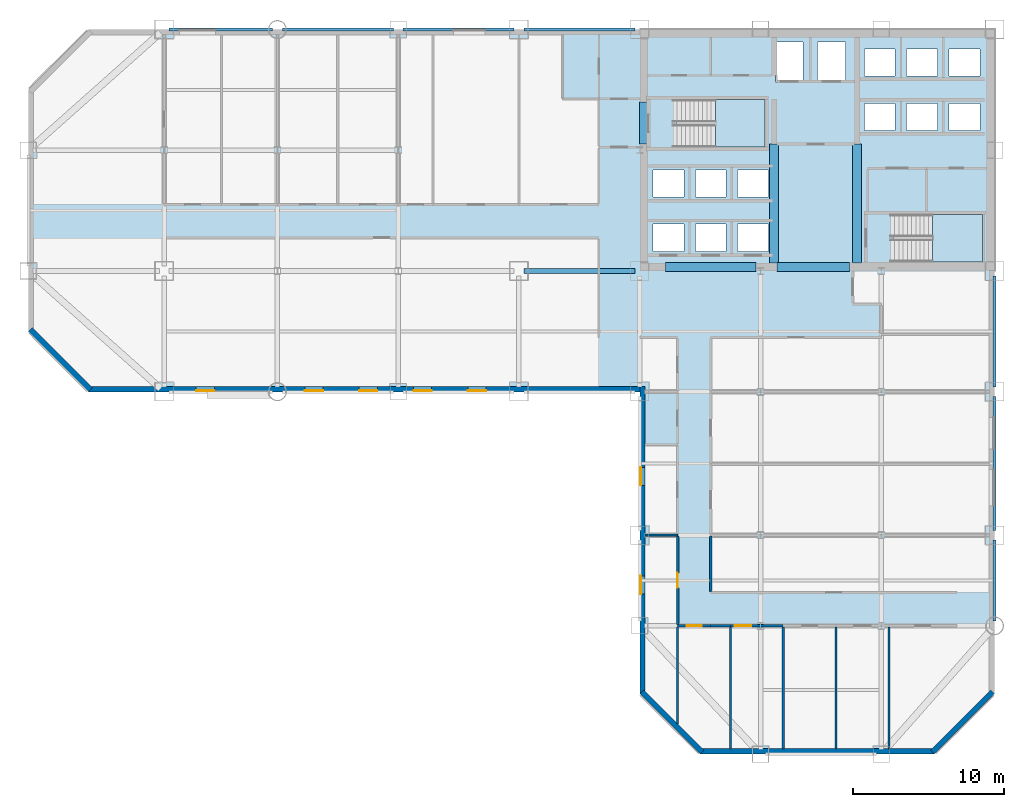
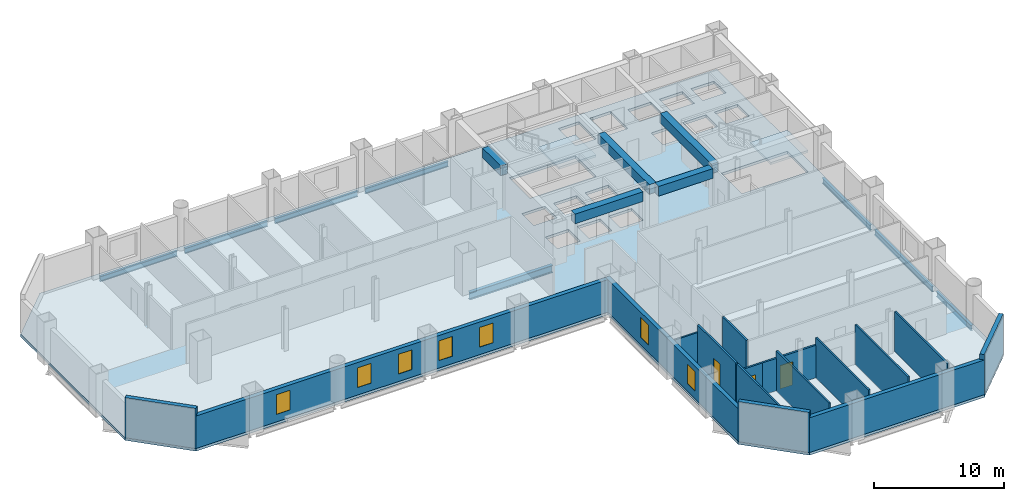
# One storey, part 4 of 9: 17 walls, 13 beams, 7 windows, 3 doors, 3 slabs, 10 openings, 2 elements without a shape of their own.
"""IFC4 building model written with IfcOpenShell, lengths in metres."""

from ifc_helpers import new_model, si_unit, direction, frame, frame_2d, origin, origin_2d, place, context, subcontext, project, spatial, polyline, rectangle, i_section, outline, extrude, material, layer, layer_set, material_profile, profile_set, type_object, element, fill, aggregate, save


model = new_model("IFC4")

# Units and contexts
model_context = context("Model", 3, precision=1e-05, world=origin(), true_north=direction((0.0, 1.0)))
body_context = subcontext(model_context, "Body", "Model", "MODEL_VIEW")
ifc_project = project(units=[si_unit("LENGTHUNIT", "METRE"), si_unit("AREAUNIT", "SQUARE_METRE"), si_unit("VOLUMEUNIT", "CUBIC_METRE"), si_unit("PLANEANGLEUNIT", "RADIAN"), si_unit("MASSUNIT", "GRAM", prefix="KILO")], contexts=[model_context])

# Site, building, storey
site_placement = place(None, origin())
site = spatial("IfcSite", under=ifc_project, at=site_placement, CompositionType="ELEMENT")
building_placement = place(site_placement, origin())
building = spatial("IfcBuilding", under=site, at=building_placement, Name="Qianrong Seaharbour Tower", CompositionType="ELEMENT")
storey_placement = place(building_placement, frame((0.0, 0.0, 36.199951171875)))
storey = spatial("IfcBuildingStorey", under=building, at=storey_placement, Name="L08", CompositionType="ELEMENT", Elevation=36.199951171875)

# Beams
ifc_material_1 = material(Name="Structural steel SN490B", Category="steel")
ifc_material_profile_1 = material_profile(ifc_material_1, i_section(OverallWidth=0.300048828125, OverallDepth=0.699951171875, WebThickness=0.012939453125, FlangeThickness=0.02392578125, FilletRadius=0.02587890625, at=origin_2d()), Name="H700x300x13x24")
ifc_profile_set_1 = profile_set([ifc_material_profile_1], Name="Structural steel SN490B")
beam_type_1 = type_object("IfcBeamType", Name="BM-G-700", PredefinedType="BEAM", material=ifc_profile_set_1)
beam_1_placement = place(storey_placement, frame((32.820068359375, 36.0, -0.599853515625), z_axis=(1.0, 0.0, 0.0), x_axis=(0.0, 1.0, 0.0)))
element("IfcBeam", 1, at=beam_1_placement, inside=storey, type_object=beam_type_1, Name="L08 Primary Girder GF G5-G6", PredefinedType="BEAM", context=body_context, shape_type="SweptSolid", body=[
    extrude(i_section(OverallWidth=0.300048828125, OverallDepth=0.699951171875, WebThickness=0.012939453125, FlangeThickness=0.02392578125, FilletRadius=0.02587890625, at=origin_2d()), origin(), (0.0, 0.0, 1.0), 7.35986328125),
])
ifc_material_2 = material(Name="Concrete C70/85", Category="concrete")
ifc_material_profile_2 = material_profile(ifc_material_2, rectangle(XDim=0.60009765625, YDim=0.89990234375, at=origin_2d()), Name="RC600x900")
ifc_profile_set_2 = profile_set([ifc_material_profile_2], Name="Concrete C70/85")
beam_type_2 = type_object("IfcBeamType", Name="BM-LINTEL-900", PredefinedType="LINTEL", material=ifc_profile_set_2)
beam_2_placement = place(storey_placement, frame((40.77001953125, 44.39990234375, 3.300048828125), z_axis=(0.0, 1.0, 0.0), x_axis=(-1.0, 0.0, 0.0)))
element("IfcBeam", 2, at=beam_2_placement, inside=storey, type_object=beam_type_2, Name="L08 Core Coupling Lintel Beam West", PredefinedType="LINTEL", context=body_context, shape_type="SweptSolid", body=[
    extrude(rectangle(XDim=0.60009765625, YDim=0.89990234375, at=origin_2d()), origin(), (0.0, 0.0, 1.0), 2.800048828125),
])
beam_3_placement = place(storey_placement, frame((42.199951171875, 36.27001953125, 3.300048828125), z_axis=(1.0, 0.0, 0.0), x_axis=(0.0, 1.0, 0.0)))
element("IfcBeam", 3, at=beam_3_placement, inside=storey, type_object=beam_type_2, Name="L08 Core Coupling Lintel Beam CBW", PredefinedType="LINTEL", context=body_context, shape_type="SweptSolid", body=[
    extrude(rectangle(XDim=0.60009765625, YDim=0.89990234375, at=origin_2d()), origin(), (0.0, 0.0, 1.0), 6.0),
])
beam_4_placement = place(storey_placement, frame((49.60009765625, 36.27001953125, 3.300048828125), z_axis=(1.0, 0.0, 0.0), x_axis=(0.0, 1.0, 0.0)))
element("IfcBeam", 4, at=beam_4_placement, inside=storey, type_object=beam_type_2, Name="L08 Core Coupling Lintel Beam CBC", PredefinedType="LINTEL", context=body_context, shape_type="SweptSolid", body=[
    extrude(rectangle(XDim=0.60009765625, YDim=0.89990234375, at=origin_2d()), origin(), (0.0, 0.0, 1.0), 4.7998046875),
])
for number, where, z_axis, x_axis, name in (
    (5, (49.39990234375, 36.5400390625, 3.300048828125), (0.0, 1.0, 0.0), (-1.0, 0.0, 0.0), "L08 Internal Core Coupling Beam IW1"),
    (6, (54.89990234375, 36.5400390625, 3.300048828125), (0.0, 1.0, 0.0), (-1.0, 0.0, 0.0), "L08 Internal Core Coupling Beam IW2"),
):
    element("IfcBeam", number, at=place(storey_placement, frame(where, z_axis=z_axis, x_axis=x_axis)), inside=storey, type_object=beam_type_2, Name=name, PredefinedType="LINTEL", context=body_context, shape_type="SweptSolid", body=[
        extrude(rectangle(XDim=0.60009765625, YDim=0.89990234375, at=origin_2d()), origin(), (0.0, 0.0, 1.0), 7.85986328125),
    ])
ifc_material_profile_3 = material_profile(ifc_material_1, i_section(OverallWidth=0.199951171875, OverallDepth=0.5, WebThickness=0.010009765625, FlangeThickness=0.01611328125, FilletRadius=0.02001953125, at=origin_2d()), Name="H500x200x10x16")
ifc_profile_set_3 = profile_set([ifc_material_profile_3], Name="Structural steel SN490B")
beam_type_3 = type_object("IfcBeamType", Name="BM-SP-500", PredefinedType="SPANDREL", material=ifc_profile_set_3)
beam_5_placement = place(storey_placement, frame((9.320068359375, 52.0, -0.5), z_axis=(1.0, 0.0, 0.0), x_axis=(0.0, 1.0, 0.0)))
element("IfcBeam", 7, at=beam_5_placement, inside=storey, type_object=beam_type_3, Name="L08 Spandrel Girder GH G2-G3", PredefinedType="SPANDREL", context=body_context, shape_type="SweptSolid", body=[
    extrude(i_section(OverallWidth=0.199951171875, OverallDepth=0.5, WebThickness=0.010009765625, FlangeThickness=0.01611328125, FilletRadius=0.02001953125, at=origin_2d()), origin(), (0.0, 0.0, 1.0), 6.85986328125),
])
for number, where, z_axis, x_axis, name in (
    (8, (16.820068359375, 52.0, -0.5), (1.0, 0.0, 0.0), (0.0, 1.0, 0.0), "L08 Spandrel Girder GH G3-G4"),
    (9, (24.820068359375, 52.0, -0.5), (1.0, 0.0, 0.0), (0.0, 1.0, 0.0), "L08 Spandrel Girder GH G4-G5"),
    (10, (32.820068359375, 52.0, -0.5), (1.0, 0.0, 0.0), (0.0, 1.0, 0.0), "L08 Spandrel Girder GH G5-G6"),
):
    element("IfcBeam", number, at=place(storey_placement, frame(where, z_axis=z_axis, x_axis=x_axis)), inside=storey, type_object=beam_type_3, Name=name, PredefinedType="SPANDREL", context=body_context, shape_type="SweptSolid", body=[
        extrude(i_section(OverallWidth=0.199951171875, OverallDepth=0.5, WebThickness=0.010009765625, FlangeThickness=0.01611328125, FilletRadius=0.02001953125, at=origin_2d()), origin(), (0.0, 0.0, 1.0), 7.35986328125),
    ])
beam_6_placement = place(storey_placement, frame((64.0, 12.820068359375, -0.5), z_axis=(0.0, 1.0, 0.0), x_axis=(-1.0, 0.0, 0.0)))
element("IfcBeam", 11, at=beam_6_placement, inside=storey, type_object=beam_type_3, Name="L08 Spandrel Girder G9 GC-GD", PredefinedType="SPANDREL", context=body_context, shape_type="SweptSolid", body=[
    extrude(i_section(OverallWidth=0.199951171875, OverallDepth=0.5, WebThickness=0.010009765625, FlangeThickness=0.01611328125, FilletRadius=0.02001953125, at=origin_2d()), origin(), (0.0, 0.0, 1.0), 5.35986328125),
])
beam_7_placement = place(storey_placement, frame((64.0, 18.820068359375, -0.5), z_axis=(0.0, 1.0, 0.0), x_axis=(-1.0, 0.0, 0.0)))
element("IfcBeam", 12, at=beam_7_placement, inside=storey, type_object=beam_type_3, Name="L08 Spandrel Girder G9 GD-GE", PredefinedType="SPANDREL", context=body_context, shape_type="SweptSolid", body=[
    extrude(i_section(OverallWidth=0.199951171875, OverallDepth=0.5, WebThickness=0.010009765625, FlangeThickness=0.01611328125, FilletRadius=0.02001953125, at=origin_2d()), origin(), (0.0, 0.0, 1.0), 8.85986328125),
])
beam_8_placement = place(storey_placement, frame((64.0, 28.320068359375, -0.5), z_axis=(0.0, 1.0, 0.0), x_axis=(-1.0, 0.0, 0.0)))
element("IfcBeam", 13, at=beam_8_placement, inside=storey, type_object=beam_type_3, Name="L08 Spandrel Girder G9 GE-GF", PredefinedType="SPANDREL", context=body_context, shape_type="SweptSolid", body=[
    extrude(i_section(OverallWidth=0.199951171875, OverallDepth=0.5, WebThickness=0.010009765625, FlangeThickness=0.01611328125, FilletRadius=0.02001953125, at=origin_2d()), origin(), (0.0, 0.0, 1.0), 7.35986328125),
])

# Stair, slab
ifc_material_3 = material(Name="Concrete C50/60", Category="concrete")
stair_type = type_object("IfcStairType", Name="STAIR-DOGLEG-1500-R22", PredefinedType="HALF_TURN_STAIR", material=ifc_material_3)
stair_1_placement = place(storey_placement, origin())
stair_1 = element("IfcStair", 14, at=stair_1_placement, inside=storey, type_object=stair_type, Name="L08 Protected Escape Stair ST-1", PredefinedType="HALF_TURN_STAIR")
ifc_layer_1 = layer(ifc_material_3, 0.199951171875)
ifc_layer_set_1 = layer_set([ifc_layer_1], Name="Concrete C50/60")
slab_type_1 = type_object("IfcSlabType", Name="SLAB-STAIR-LANDING-200", PredefinedType="LANDING", material=ifc_layer_set_1)
slab_1_placement = place(storey_placement, frame((0.0, 0.0, 1.800048828125)))
slab_1 = element("IfcSlab", 15, at=slab_1_placement, type_object=slab_type_1, Name="ST-1 landing 1", PredefinedType="LANDING", context=body_context, shape_type="SweptSolid", body=[
    extrude(outline(polyline([(45.5, 44.199951171875), (48.800048828125, 44.199951171875), (48.800048828125, 47.35009765625), (45.5, 47.35009765625), (45.5, 44.199951171875)])), origin(), (0.0, 0.0, 1.0), 0.199951171875),
])
aggregate(stair_1, [slab_1])

stair_2_placement = place(storey_placement, origin())
stair_2 = element("IfcStair", 16, at=stair_2_placement, inside=storey, type_object=stair_type, Name="L08 Protected Escape Stair ST-2", PredefinedType="HALF_TURN_STAIR")
slab_2_placement = place(storey_placement, frame((0.0, 0.0, 1.800048828125)))
slab_2 = element("IfcSlab", 17, at=slab_2_placement, type_object=slab_type_1, Name="ST-2 landing 1", PredefinedType="LANDING", context=body_context, shape_type="SweptSolid", body=[
    extrude(outline(polyline([(59.89990234375, 36.60009765625), (63.199951171875, 36.60009765625), (63.199951171875, 39.75), (59.89990234375, 39.75), (59.89990234375, 36.60009765625)])), origin(), (0.0, 0.0, 1.0), 0.199951171875),
])
aggregate(stair_2, [slab_2])

# Slab
ifc_layer_2 = layer(ifc_material_3, 0.25)
ifc_layer_set_2 = layer_set([ifc_layer_2], Name="Concrete C50/60")
slab_type_2 = type_object("IfcSlabType", Name="SLAB-Z1-250", PredefinedType="FLOOR", material=ifc_layer_set_2)
slab_3_placement = place(storey_placement, frame((0.0, 0.0, -0.25)))
element("IfcSlab", 18, at=slab_3_placement, inside=storey, type_object=slab_type_2, Name="L08 Structural Floor Slab", PredefinedType="FLOOR", context=body_context, shape_type="SweptSolid", body=[
    extrude(outline(polyline([(44.5, 4.0), (60.0, 4.0), (64.0, 8.0), (64.0, 52.0), (4.0, 52.0), (0.0, 48.0), (0.0, 32.0), (4.0, 28.0), (40.5, 28.0), (40.5, 8.0), (44.5, 4.0)]), holes=[polyline([(42.93994140625, 44.199951171875), (42.93994140625, 47.35009765625), (48.800048828125, 47.35009765625), (48.800048828125, 44.199951171875), (42.93994140625, 44.199951171875)]), polyline([(57.340087890625, 36.60009765625), (57.340087890625, 39.75), (63.199951171875, 39.75), (63.199951171875, 36.60009765625), (57.340087890625, 36.60009765625)]), polyline([(49.47998046875, 48.530029296875), (49.47998046875, 51.169921875), (51.320068359375, 51.169921875), (51.320068359375, 48.530029296875), (49.47998046875, 48.530029296875)]), polyline([(52.280029296875, 48.530029296875), (52.280029296875, 51.169921875), (54.1201171875, 51.169921875), (54.1201171875, 48.530029296875), (52.280029296875, 48.530029296875)]), polyline([(41.3798828125, 37.300048828125), (41.3798828125, 39.10009765625), (43.419921875, 39.10009765625), (43.419921875, 37.300048828125), (41.3798828125, 37.300048828125)]), polyline([(44.179931640625, 37.300048828125), (44.179931640625, 39.10009765625), (46.219970703125, 39.10009765625), (46.219970703125, 37.300048828125), (44.179931640625, 37.300048828125)]), polyline([(46.97998046875, 37.300048828125), (46.97998046875, 39.10009765625), (49.02001953125, 39.10009765625), (49.02001953125, 37.300048828125), (46.97998046875, 37.300048828125)]), polyline([(41.3798828125, 40.89990234375), (41.3798828125, 42.699951171875), (43.419921875, 42.699951171875), (43.419921875, 40.89990234375), (41.3798828125, 40.89990234375)]), polyline([(44.179931640625, 40.89990234375), (44.179931640625, 42.699951171875), (46.219970703125, 42.699951171875), (46.219970703125, 40.89990234375), (44.179931640625, 40.89990234375)]), polyline([(46.97998046875, 40.89990234375), (46.97998046875, 42.699951171875), (49.02001953125, 42.699951171875), (49.02001953125, 40.89990234375), (46.97998046875, 40.89990234375)]), polyline([(55.3798828125, 45.300048828125), (55.3798828125, 47.10009765625), (57.419921875, 47.10009765625), (57.419921875, 45.300048828125), (55.3798828125, 45.300048828125)]), polyline([(58.179931640625, 45.300048828125), (58.179931640625, 47.10009765625), (60.219970703125, 47.10009765625), (60.219970703125, 45.300048828125), (58.179931640625, 45.300048828125)]), polyline([(60.97998046875, 45.300048828125), (60.97998046875, 47.10009765625), (63.02001953125, 47.10009765625), (63.02001953125, 45.300048828125), (60.97998046875, 45.300048828125)]), polyline([(55.3798828125, 48.89990234375), (55.3798828125, 50.699951171875), (57.419921875, 50.699951171875), (57.419921875, 48.89990234375), (55.3798828125, 48.89990234375)]), polyline([(58.179931640625, 48.89990234375), (58.179931640625, 50.699951171875), (60.219970703125, 50.699951171875), (60.219970703125, 48.89990234375), (58.179931640625, 48.89990234375)]), polyline([(60.97998046875, 48.89990234375), (60.97998046875, 50.699951171875), (63.02001953125, 50.699951171875), (63.02001953125, 48.89990234375), (60.97998046875, 48.89990234375)])]), origin(), (0.0, 0.0, 1.0), 0.25),
])

# Wall
ifc_material_4 = material(Name="Fire-rated acoustic gypsum board partition")
ifc_layer_3 = layer(ifc_material_4, 0.1650390625)
ifc_layer_set_3 = layer_set([ifc_layer_3], Name="Fire-rated acoustic gypsum board partition")
wall_type_1 = type_object("IfcWallType", Name="WALL-CORR-PART-165", PredefinedType="PARTITIONING", material=ifc_layer_set_3)
wall_1_placement = place(storey_placement, frame((45.199951171875, 18.435546875, 0.0), z_axis=(0.0, 0.0, 1.0), x_axis=(0.0, -1.0, 0.0)))
element("IfcWall", 19, at=wall_1_placement, inside=storey, type_object=wall_type_1, Name="L08 Interior Partition Wall 030", PredefinedType="PARTITIONING", context=body_context, shape_type="SweptSolid", body=[
    extrude(rectangle(XDim=3.6611328125, YDim=0.1650390625, at=frame_2d((1.83056640625, 0.0))), origin(), (0.0, 0.0, 1.0), 3.75),
])

# Wall, opening, door
wall_2_placement = place(storey_placement, frame((43.0, 12.574462890625, 0.0), z_axis=(0.0, 0.0, 1.0), x_axis=(0.0, 1.0, 0.0)))
wall_2 = element("IfcWall", 20, at=wall_2_placement, inside=storey, type_object=wall_type_1, Name="L08 Interior Partition Wall 034", PredefinedType="PARTITIONING", context=body_context, shape_type="SweptSolid", body=[
    extrude(rectangle(XDim=5.86865234375, YDim=0.1650390625, at=frame_2d((2.934326171875, 0.0))), origin(), (0.0, 0.0, 1.0), 3.75),
])
opening_1_placement = place(wall_2_placement, frame((2.434326171875, 0.0, 0.0)))
opening_1 = element("IfcOpeningElement", 21, at=opening_1_placement, cuts=wall_2, Name="Opening DO-01", PredefinedType="OPENING", context=body_context, shape_type="SweptSolid", body=[
    extrude(rectangle(XDim=1.0, YDim=2.14990234375, at=frame_2d((0.5, 1.074951171875))), frame((0.0, 0.092529296875, 0.0), z_axis=(0.0, -1.0, 0.0), x_axis=(1.0, 0.0, 0.0)), (0.0, 0.0, 1.0), 0.18505859375),
])
ifc_material_5 = material(Name="Acoustic timber and galvanized steel fire door assembly", Category="steel")
door_type_1 = type_object("IfcDoorType", Name="DOOR-OFFICE-1000x2150", OperationType="NOTDEFINED", PredefinedType="DOOR", material=ifc_material_5)
door_1_placement = place(opening_1_placement, origin())
door_1 = element("IfcDoor", 22, at=door_1_placement, inside=storey, type_object=door_type_1, Name="L08 Executive Office 1 Door", OperationType="SINGLE_SWING_RIGHT", OverallHeight=2.14990234375, OverallWidth=1.0, PredefinedType="DOOR", context=body_context, shape_type="SweptSolid", body=[
    extrude(rectangle(XDim=1.0, YDim=2.14990234375, at=frame_2d((0.5, 1.074951171875))), frame((0.0, 0.02490234375, 0.0), z_axis=(0.0, -1.0, 0.0), x_axis=(1.0, 0.0, 0.0)), (0.0, 0.0, 1.0), 0.050048828125),
])
fill(opening_1, door_1)

wall_3_placement = place(storey_placement, frame((45.199951171875, 12.5, 0.0), z_axis=(0.0, 0.0, 1.0), x_axis=(-1.0, 0.0, 0.0)))
wall_3 = element("IfcWall", 23, at=wall_3_placement, inside=storey, type_object=wall_type_1, Name="L08 Interior Partition Wall 038", PredefinedType="PARTITIONING", context=body_context, shape_type="SweptSolid", body=[
    extrude(rectangle(XDim=2.199951171875, YDim=0.1650390625, at=frame_2d((1.10009765625, 0.0))), origin(), (0.0, 0.0, 1.0), 3.0419921875),
])
opening_2_placement = place(wall_3_placement, frame((0.60009765625, 0.0, 0.0)))
opening_2 = element("IfcOpeningElement", 24, at=opening_2_placement, cuts=wall_3, Name="Opening DO-01", PredefinedType="OPENING", context=body_context, shape_type="SweptSolid", body=[
    extrude(rectangle(XDim=1.0, YDim=2.14990234375, at=frame_2d((0.5, 1.074951171875))), frame((0.0, 0.092529296875, 0.0), z_axis=(0.0, -1.0, 0.0), x_axis=(1.0, 0.0, 0.0)), (0.0, 0.0, 1.0), 0.18505859375),
])
door_2_placement = place(opening_2_placement, origin())
door_2 = element("IfcDoor", 25, at=door_2_placement, inside=storey, type_object=door_type_1, Name="L08 Executive Office 1 Door", OperationType="SINGLE_SWING_RIGHT", OverallHeight=2.14990234375, OverallWidth=1.0, PredefinedType="DOOR", context=body_context, shape_type="SweptSolid", body=[
    extrude(rectangle(XDim=1.0, YDim=2.14990234375, at=frame_2d((0.5, 1.074951171875))), frame((0.0, 0.02490234375, 0.0), z_axis=(0.0, -1.0, 0.0), x_axis=(1.0, 0.0, 0.0)), (0.0, 0.0, 1.0), 0.050048828125),
])
fill(opening_2, door_2)

# Wall
wall_4_placement = place(storey_placement, frame((46.5, 12.5, 0.0), z_axis=(0.0, 0.0, 1.0), x_axis=(-1.0, 0.0, 0.0)))
element("IfcWall", 26, at=wall_4_placement, inside=storey, type_object=wall_type_1, Name="L08 Interior Partition Wall 040", PredefinedType="PARTITIONING", context=body_context, shape_type="SweptSolid", body=[
    extrude(rectangle(XDim=1.300048828125, YDim=0.1650390625, at=frame_2d((0.64990234375, 0.0))), origin(), (0.0, 0.0, 1.0), 3.0419921875),
])

# Wall, opening, door
wall_5_placement = place(storey_placement, frame((50.0, 12.5, 0.0), z_axis=(0.0, 0.0, 1.0), x_axis=(-1.0, 0.0, 0.0)))
wall_5 = element("IfcWall", 27, at=wall_5_placement, inside=storey, type_object=wall_type_1, Name="L08 Interior Partition Wall 041", PredefinedType="PARTITIONING", context=body_context, shape_type="SweptSolid", body=[
    extrude(rectangle(XDim=3.5, YDim=0.1650390625, at=frame_2d((1.75, 0.0))), origin(), (0.0, 0.0, 1.0), 3.0419921875),
])
opening_3_placement = place(wall_5_placement, frame((2.10009765625, 0.0, 0.0)))
opening_3 = element("IfcOpeningElement", 28, at=opening_3_placement, cuts=wall_5, Name="Opening DM-01", PredefinedType="OPENING", context=body_context, shape_type="SweptSolid", body=[
    extrude(rectangle(XDim=1.10009765625, YDim=2.199951171875, at=frame_2d((0.550048828125, 1.10009765625))), frame((0.0, 0.092529296875, 0.0), z_axis=(0.0, -1.0, 0.0), x_axis=(1.0, 0.0, 0.0)), (0.0, 0.0, 1.0), 0.18505859375),
])
door_type_2 = type_object("IfcDoorType", Name="DOOR-MEET-1100x2200", OperationType="NOTDEFINED", PredefinedType="DOOR", material=ifc_material_5)
door_3_placement = place(opening_3_placement, origin())
door_3 = element("IfcDoor", 29, at=door_3_placement, inside=storey, type_object=door_type_2, Name="L08 Meeting Room 2 Door", OperationType="SINGLE_SWING_LEFT", OverallHeight=2.199951171875, OverallWidth=1.10009765625, PredefinedType="DOOR", context=body_context, shape_type="SweptSolid", body=[
    extrude(rectangle(XDim=1.10009765625, YDim=2.199951171875, at=frame_2d((0.550048828125, 1.10009765625))), frame((0.0, 0.02490234375, 0.0), z_axis=(0.0, -1.0, 0.0), x_axis=(1.0, 0.0, 0.0)), (0.0, 0.0, 1.0), 0.050048828125),
])
fill(opening_3, door_3)

# Wall, openings, windows
ifc_material_6 = material(Name="Unitised red brick on Precast concrete C45/55", Category="masonry")
ifc_layer_4 = layer(ifc_material_6, 0.360107421875)
ifc_layer_set_4 = layer_set([ifc_layer_4], Name="Unitised red brick on Precast concrete C45/55")
wall_type_2 = type_object("IfcWallType", Name="WALL-EXT-BRICK-RED-360", PredefinedType="SOLIDWALL", material=ifc_layer_set_4)
wall_6_placement = place(storey_placement, frame((40.679931640625, 8.0, 0.0), z_axis=(0.0, 0.0, 1.0), x_axis=(0.0, 1.0, 0.0)))
wall_6 = element("IfcWall", 30, at=wall_6_placement, inside=storey, type_object=wall_type_2, Name="L08 Exterior Masonry Facade Wall REENTRANT_WEST", PredefinedType="SOLIDWALL", context=body_context, shape_type="SweptSolid", body=[
    extrude(rectangle(XDim=20.360107421875, YDim=0.360107421875, at=frame_2d((10.18017578125, 0.0))), origin(), (0.0, 0.0, 1.0), 3.050048828125),
])
opening_4_placement = place(wall_6_placement, frame((6.60009765625, 0.0, 0.699951171875)))
opening_4 = element("IfcOpeningElement", 31, at=opening_4_placement, cuts=wall_6, Name="Opening WN-01", PredefinedType="OPENING", context=body_context, shape_type="SweptSolid", body=[
    extrude(rectangle(XDim=1.199951171875, YDim=1.85009765625, at=frame_2d((0.60009765625, 0.925048828125))), frame((0.0, 0.18994140625, 0.0), z_axis=(0.0, -1.0, 0.0), x_axis=(1.0, 0.0, 0.0)), (0.0, 0.0, 1.0), 0.380126953125),
])
opening_5_placement = place(wall_6_placement, frame((13.800048828125, 0.0, 0.699951171875)))
opening_5 = element("IfcOpeningElement", 32, at=opening_5_placement, cuts=wall_6, Name="Opening WN-01", PredefinedType="OPENING", context=body_context, shape_type="SweptSolid", body=[
    extrude(rectangle(XDim=1.199951171875, YDim=1.85009765625, at=frame_2d((0.60009765625, 0.925048828125))), frame((0.0, 0.18994140625, 0.0), z_axis=(0.0, -1.0, 0.0), x_axis=(1.0, 0.0, 0.0)), (0.0, 0.0, 1.0), 0.380126953125),
])
ifc_material_7 = material(Name="Insulated low-e double glazing in thermally broken aluminium 6063-T6 frame", Category="aluminium")
window_type = type_object("IfcWindowType", Name="WIN-PUNCH-1200x1850", PartitioningType="DOUBLE_PANEL_VERTICAL", PredefinedType="WINDOW", material=ifc_material_7)
window_1_placement = place(opening_4_placement, origin())
window_1 = element("IfcWindow", 33, at=window_1_placement, inside=storey, type_object=window_type, Name="L08 Deep-Set Punched Window 00.02", OverallHeight=1.85009765625, OverallWidth=1.199951171875, PartitioningType="DOUBLE_PANEL_VERTICAL", PredefinedType="WINDOW", context=body_context, shape_type="SweptSolid", body=[
    extrude(rectangle(XDim=1.199951171875, YDim=1.85009765625, at=frame_2d((0.60009765625, 0.925048828125))), frame((0.0, 0.150146484375, 0.0), z_axis=(0.0, -1.0, 0.0), x_axis=(1.0, 0.0, 0.0)), (0.0, 0.0, 1.0), 0.06005859375),
])
fill(opening_4, window_1)
window_2_placement = place(opening_5_placement, origin())
window_2 = element("IfcWindow", 34, at=window_2_placement, inside=storey, type_object=window_type, Name="L08 Deep-Set Punched Window 00.04", OverallHeight=1.85009765625, OverallWidth=1.199951171875, PartitioningType="DOUBLE_PANEL_VERTICAL", PredefinedType="WINDOW", context=body_context, shape_type="SweptSolid", body=[
    extrude(rectangle(XDim=1.199951171875, YDim=1.85009765625, at=frame_2d((0.60009765625, 0.925048828125))), frame((0.0, 0.150146484375, 0.0), z_axis=(0.0, -1.0, 0.0), x_axis=(1.0, 0.0, 0.0)), (0.0, 0.0, 1.0), 0.06005859375),
])
fill(opening_5, window_2)

wall_7_placement = place(storey_placement, frame((40.52001953125, 28.179931640625, 0.0), z_axis=(0.0, 0.0, 1.0), x_axis=(-1.0, 0.0, 0.0)))
wall_7 = element("IfcWall", 35, at=wall_7_placement, inside=storey, type_object=wall_type_2, Name="L08 Exterior Masonry Facade Wall HARBOUR_RIBBON", PredefinedType="SOLIDWALL", context=body_context, shape_type="SweptSolid", body=[
    extrude(rectangle(XDim=36.52001953125, YDim=0.360107421875, at=frame_2d((18.260009765625, 0.0))), origin(), (0.0, 0.0, 1.0), 3.050048828125),
])
opening_6_placement = place(wall_7_placement, frame((10.199951171875, 0.0, 0.699951171875)))
opening_6 = element("IfcOpeningElement", 36, at=opening_6_placement, cuts=wall_7, Name="Opening WN-01", PredefinedType="OPENING", context=body_context, shape_type="SweptSolid", body=[
    extrude(rectangle(XDim=1.199951171875, YDim=1.85009765625, at=frame_2d((0.60009765625, 0.925048828125))), frame((0.0, 0.18994140625, 0.0), z_axis=(0.0, -1.0, 0.0), x_axis=(1.0, 0.0, 0.0)), (0.0, 0.0, 1.0), 0.380126953125),
])
opening_7_placement = place(wall_7_placement, frame((13.800048828125, 0.0, 0.699951171875)))
opening_7 = element("IfcOpeningElement", 37, at=opening_7_placement, cuts=wall_7, Name="Opening WN-01", PredefinedType="OPENING", context=body_context, shape_type="SweptSolid", body=[
    extrude(rectangle(XDim=1.199951171875, YDim=1.85009765625, at=frame_2d((0.60009765625, 0.925048828125))), frame((0.0, 0.18994140625, 0.0), z_axis=(0.0, -1.0, 0.0), x_axis=(1.0, 0.0, 0.0)), (0.0, 0.0, 1.0), 0.380126953125),
])
opening_8_placement = place(wall_7_placement, frame((17.39990234375, 0.0, 0.699951171875)))
opening_8 = element("IfcOpeningElement", 38, at=opening_8_placement, cuts=wall_7, Name="Opening WN-01", PredefinedType="OPENING", context=body_context, shape_type="SweptSolid", body=[
    extrude(rectangle(XDim=1.199951171875, YDim=1.85009765625, at=frame_2d((0.60009765625, 0.925048828125))), frame((0.0, 0.18994140625, 0.0), z_axis=(0.0, -1.0, 0.0), x_axis=(1.0, 0.0, 0.0)), (0.0, 0.0, 1.0), 0.380126953125),
])
opening_9_placement = place(wall_7_placement, frame((21.0, 0.0, 0.699951171875)))
opening_9 = element("IfcOpeningElement", 39, at=opening_9_placement, cuts=wall_7, Name="Opening WN-01", PredefinedType="OPENING", context=body_context, shape_type="SweptSolid", body=[
    extrude(rectangle(XDim=1.199951171875, YDim=1.85009765625, at=frame_2d((0.60009765625, 0.925048828125))), frame((0.0, 0.18994140625, 0.0), z_axis=(0.0, -1.0, 0.0), x_axis=(1.0, 0.0, 0.0)), (0.0, 0.0, 1.0), 0.380126953125),
])
opening_10_placement = place(wall_7_placement, frame((28.199951171875, 0.0, 0.699951171875)))
opening_10 = element("IfcOpeningElement", 40, at=opening_10_placement, cuts=wall_7, Name="Opening WN-01", PredefinedType="OPENING", context=body_context, shape_type="SweptSolid", body=[
    extrude(rectangle(XDim=1.199951171875, YDim=1.85009765625, at=frame_2d((0.60009765625, 0.925048828125))), frame((0.0, 0.18994140625, 0.0), z_axis=(0.0, -1.0, 0.0), x_axis=(1.0, 0.0, 0.0)), (0.0, 0.0, 1.0), 0.380126953125),
])
window_3_placement = place(opening_6_placement, origin())
window_3 = element("IfcWindow", 41, at=window_3_placement, inside=storey, type_object=window_type, Name="L08 Deep-Set Punched Window 01.03", OverallHeight=1.85009765625, OverallWidth=1.199951171875, PartitioningType="DOUBLE_PANEL_VERTICAL", PredefinedType="WINDOW", context=body_context, shape_type="SweptSolid", body=[
    extrude(rectangle(XDim=1.199951171875, YDim=1.85009765625, at=frame_2d((0.60009765625, 0.925048828125))), frame((0.0, 0.150146484375, 0.0), z_axis=(0.0, -1.0, 0.0), x_axis=(1.0, 0.0, 0.0)), (0.0, 0.0, 1.0), 0.06005859375),
])
fill(opening_6, window_3)
window_4_placement = place(opening_7_placement, origin())
window_4 = element("IfcWindow", 42, at=window_4_placement, inside=storey, type_object=window_type, Name="L08 Deep-Set Punched Window 01.04", OverallHeight=1.85009765625, OverallWidth=1.199951171875, PartitioningType="DOUBLE_PANEL_VERTICAL", PredefinedType="WINDOW", context=body_context, shape_type="SweptSolid", body=[
    extrude(rectangle(XDim=1.199951171875, YDim=1.85009765625, at=frame_2d((0.60009765625, 0.925048828125))), frame((0.0, 0.150146484375, 0.0), z_axis=(0.0, -1.0, 0.0), x_axis=(1.0, 0.0, 0.0)), (0.0, 0.0, 1.0), 0.06005859375),
])
fill(opening_7, window_4)
window_5_placement = place(opening_8_placement, origin())
window_5 = element("IfcWindow", 43, at=window_5_placement, inside=storey, type_object=window_type, Name="L08 Deep-Set Punched Window 01.05", OverallHeight=1.85009765625, OverallWidth=1.199951171875, PartitioningType="DOUBLE_PANEL_VERTICAL", PredefinedType="WINDOW", context=body_context, shape_type="SweptSolid", body=[
    extrude(rectangle(XDim=1.199951171875, YDim=1.85009765625, at=frame_2d((0.60009765625, 0.925048828125))), frame((0.0, 0.150146484375, 0.0), z_axis=(0.0, -1.0, 0.0), x_axis=(1.0, 0.0, 0.0)), (0.0, 0.0, 1.0), 0.06005859375),
])
fill(opening_8, window_5)
window_6_placement = place(opening_9_placement, origin())
window_6 = element("IfcWindow", 44, at=window_6_placement, inside=storey, type_object=window_type, Name="L08 Deep-Set Punched Window 01.06", OverallHeight=1.85009765625, OverallWidth=1.199951171875, PartitioningType="DOUBLE_PANEL_VERTICAL", PredefinedType="WINDOW", context=body_context, shape_type="SweptSolid", body=[
    extrude(rectangle(XDim=1.199951171875, YDim=1.85009765625, at=frame_2d((0.60009765625, 0.925048828125))), frame((0.0, 0.150146484375, 0.0), z_axis=(0.0, -1.0, 0.0), x_axis=(1.0, 0.0, 0.0)), (0.0, 0.0, 1.0), 0.06005859375),
])
fill(opening_9, window_6)
window_7_placement = place(opening_10_placement, origin())
window_7 = element("IfcWindow", 45, at=window_7_placement, inside=storey, type_object=window_type, Name="L08 Deep-Set Punched Window 01.08", OverallHeight=1.85009765625, OverallWidth=1.199951171875, PartitioningType="DOUBLE_PANEL_VERTICAL", PredefinedType="WINDOW", context=body_context, shape_type="SweptSolid", body=[
    extrude(rectangle(XDim=1.199951171875, YDim=1.85009765625, at=frame_2d((0.60009765625, 0.925048828125))), frame((0.0, 0.150146484375, 0.0), z_axis=(0.0, -1.0, 0.0), x_axis=(1.0, 0.0, 0.0)), (0.0, 0.0, 1.0), 0.06005859375),
])
fill(opening_10, window_7)

# Walls
for number, where, z_axis, x_axis, name in (
    (46, (4.127197265625, 28.127197265625, 0.0), (0.0, 0.0, 1.0), (-0.707106781187, 0.707106781187, 0.0), "L08 Exterior Masonry Facade Wall E02"),
    (47, (63.872802734375, 8.127197265625, 0.0), (0.0, 0.0, 1.0), (-0.707106781187, -0.707106781187, 0.0), "L08 Exterior Masonry Facade Wall E07"),
):
    element("IfcWall", number, at=place(storey_placement, frame(where, z_axis=z_axis, x_axis=x_axis)), inside=storey, type_object=wall_type_2, Name=name, PredefinedType="SOLIDWALL", context=body_context, shape_type="SweptSolid", body=[
        extrude(rectangle(XDim=5.65673828125, YDim=0.360107421875, at=frame_2d((2.828369140625, 0.0))), origin(), (0.0, 0.0, 1.0), 3.75),
    ])
wall_8_placement = place(storey_placement, frame((60.0, 4.179931640625, 0.0), z_axis=(0.0, 0.0, 1.0), x_axis=(-1.0, 0.0, 0.0)))
element("IfcWall", 48, at=wall_8_placement, inside=storey, type_object=wall_type_2, Name="L08 Exterior Masonry Facade Wall SOUTH_TIP", PredefinedType="SOLIDWALL", context=body_context, shape_type="SweptSolid", body=[
    extrude(rectangle(XDim=15.5, YDim=0.360107421875, at=frame_2d((7.75, 0.0))), origin(), (0.0, 0.0, 1.0), 3.25),
])
wall_9_placement = place(storey_placement, frame((44.627197265625, 4.127197265625, 0.0), z_axis=(0.0, 0.0, 1.0), x_axis=(-0.707106781187, 0.707106781187, 0.0)))
element("IfcWall", 49, at=wall_9_placement, inside=storey, type_object=wall_type_2, Name="L08 Exterior Masonry Facade Wall E09", PredefinedType="SOLIDWALL", context=body_context, shape_type="SweptSolid", body=[
    extrude(rectangle(XDim=5.65673828125, YDim=0.360107421875, at=frame_2d((2.828369140625, 0.0))), origin(), (0.0, 0.0, 1.0), 3.75),
])
ifc_material_8 = material(Name="Acoustic gypsum board stud partition")
ifc_layer_5 = layer(ifc_material_8, 0.14501953125)
ifc_layer_set_5 = layer_set([ifc_layer_5], Name="Acoustic gypsum board stud partition")
wall_type_3 = type_object("IfcWallType", Name="WALL-OFFICE-PART-145", PredefinedType="PARTITIONING", material=ifc_layer_set_5)
wall_10_placement = place(storey_placement, frame((43.0, 12.425537109375, 0.0), z_axis=(0.0, 0.0, 1.0), x_axis=(0.0, -1.0, 0.0)))
element("IfcWall", 50, at=wall_10_placement, inside=storey, type_object=wall_type_3, Name="L08 Interior Partition Wall 057", PredefinedType="PARTITIONING", context=body_context, shape_type="SweptSolid", body=[
    extrude(rectangle(XDim=6.427734375, YDim=0.14501953125, at=frame_2d((3.2138671875, 0.0))), origin(), (0.0, 0.0, 1.0), 3.75),
])
for number, where, z_axis, x_axis, name in (
    (51, (46.5, 12.425537109375, 0.0), (0.0, 0.0, 1.0), (0.0, -1.0, 0.0), "L08 Interior Partition Wall 060"),
    (52, (50.0, 12.425537109375, 0.0), (0.0, 0.0, 1.0), (0.0, -1.0, 0.0), "L08 Interior Partition Wall 061"),
    (53, (53.5, 12.425537109375, 0.0), (0.0, 0.0, 1.0), (0.0, -1.0, 0.0), "L08 Interior Partition Wall 062"),
    (54, (57.0, 12.425537109375, 0.0), (0.0, 0.0, 1.0), (0.0, -1.0, 0.0), "L08 Interior Partition Wall 063"),
):
    element("IfcWall", number, at=place(storey_placement, frame(where, z_axis=z_axis, x_axis=x_axis)), inside=storey, type_object=wall_type_3, Name=name, PredefinedType="PARTITIONING", context=body_context, shape_type="SweptSolid", body=[
        extrude(rectangle(XDim=8.073486328125, YDim=0.14501953125, at=frame_2d((4.03662109375, 0.0))), origin(), (0.0, 0.0, 1.0), 3.75),
    ])
ifc_material_9 = material(Name="Water-resistant cement board sanitary partition")
ifc_layer_6 = layer(ifc_material_9, 0.1298828125)
ifc_layer_set_6 = layer_set([ifc_layer_6], Name="Water-resistant cement board sanitary partition")
wall_type_4 = type_object("IfcWallType", Name="WALL-WET-PART-130", PredefinedType="PARTITIONING", material=ifc_layer_set_6)
wall_11_placement = place(storey_placement, frame((40.85205078125, 18.5, 0.0), z_axis=(0.0, 0.0, 1.0), x_axis=(1.0, 0.0, 0.0)))
element("IfcWall", 55, at=wall_11_placement, inside=storey, type_object=wall_type_4, Name="L08 Interior Partition Wall 056", PredefinedType="PARTITIONING", context=body_context, shape_type="SweptSolid", body=[
    extrude(rectangle(XDim=2.14794921875, YDim=0.1298828125, at=frame_2d((1.073974609375, 0.0))), origin(), (0.0, 0.0, 1.0), 3.0419921875),
])

save(model, "model.ifc")
